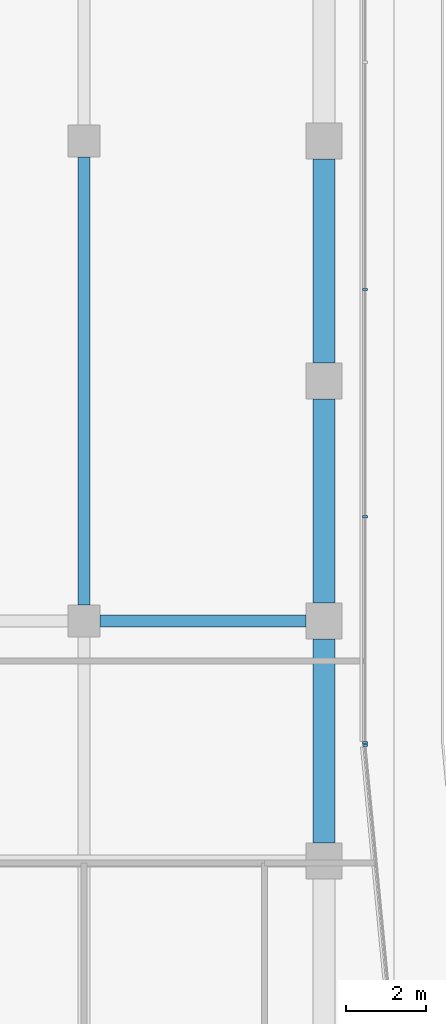
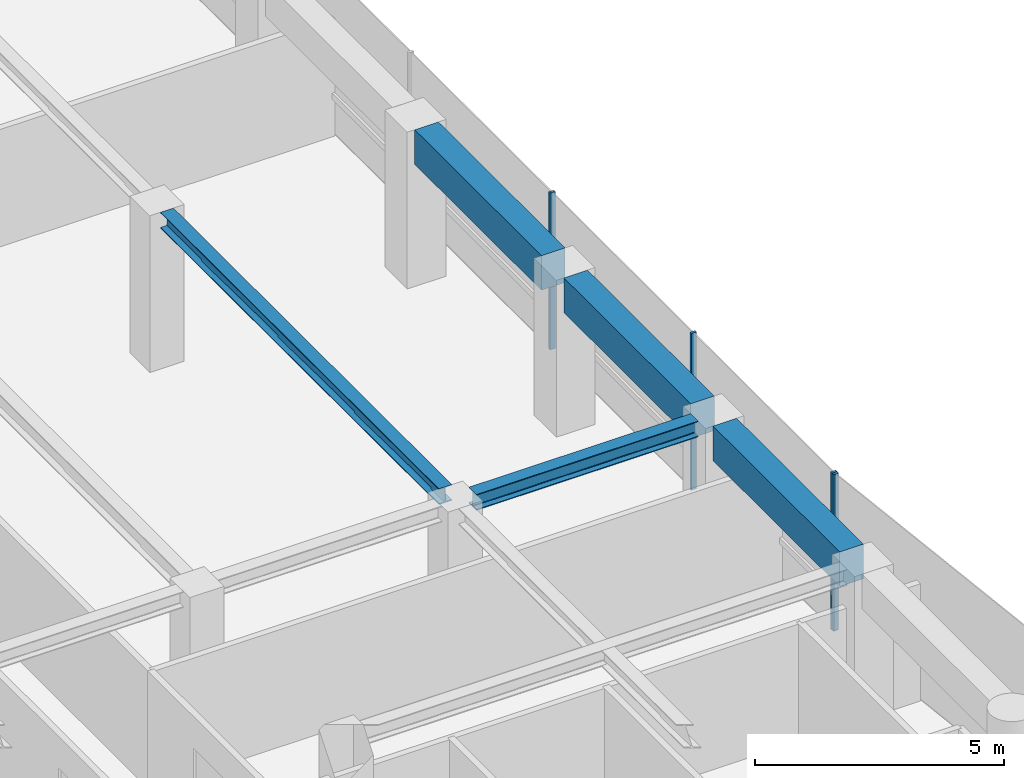
# One storey, part 8 of 23: 5 beams, 4 members, 2 elements without a shape of their own.
"""IFC4 building model written with IfcOpenShell, lengths in metres."""

from ifc_helpers import new_model, si_unit, direction, frame, origin, origin_2d, place, context, subcontext, project, spatial, rectangle, i_section, extrude, material, layer, layer_set, material_profile, profile_set, type_object, element, aggregate, save


model = new_model("IFC4")

# Units and contexts
model_context = context("Model", 3, precision=1e-05, world=origin(), true_north=direction((0.0, 1.0)))
body_context = subcontext(model_context, "Body", "Model", "MODEL_VIEW")
ifc_project = project(units=[si_unit("LENGTHUNIT", "METRE"), si_unit("AREAUNIT", "SQUARE_METRE"), si_unit("VOLUMEUNIT", "CUBIC_METRE"), si_unit("PLANEANGLEUNIT", "RADIAN"), si_unit("MASSUNIT", "GRAM", prefix="KILO")], contexts=[model_context])

# Site, building, storey
site_placement = place(None, origin())
site = spatial("IfcSite", under=ifc_project, at=site_placement, CompositionType="ELEMENT")
building_placement = place(site_placement, origin())
building = spatial("IfcBuilding", under=site, at=building_placement, Name="Welwitschia Terrace Campus", CompositionType="ELEMENT")
storey_placement = place(building_placement, frame((0.0, 0.0, 205.39990234375)))
storey = spatial("IfcBuildingStorey", under=building, at=storey_placement, Name="L45", CompositionType="ELEMENT", Elevation=205.39990234375)

# Beams
ifc_material_1 = material(Name="Steel S355", Category="steel")
ifc_material_profile_1 = material_profile(ifc_material_1, i_section(OverallWidth=0.300048828125, OverallDepth=0.389892578125, WebThickness=0.010986328125, FlangeThickness=0.01904296875, FilletRadius=0.027099609375, at=origin_2d()))
ifc_profile_set_1 = profile_set([ifc_material_profile_1], Name="Steel S355")
beam_type_1 = type_object("IfcBeamType", Name="Interior girder HE 400 A", PredefinedType="BEAM", material=ifc_profile_set_1)
beam_1_placement = place(storey_placement, frame((18.400390625, 40.0, 3.655029296875), z_axis=(1.0, 0.0, 0.0), x_axis=(0.0, 1.0, 0.0)))
element("IfcBeam", 1, at=beam_1_placement, inside=storey, type_object=beam_type_1, Name="Girder GB5", PredefinedType="BEAM", context=body_context, shape_type="SweptSolid", body=[
    extrude(i_section(OverallWidth=0.300048828125, OverallDepth=0.389892578125, WebThickness=0.010986328125, FlangeThickness=0.01904296875, FilletRadius=0.027099609375, at=origin_2d()), origin(), (0.0, 0.0, 1.0), 5.1591796875),
])
beam_2_placement = place(storey_placement, frame((18.0, 40.400390625, 3.655029296875), z_axis=(0.0, 1.0, 0.0), x_axis=(-1.0, 0.0, 0.0)))
element("IfcBeam", 2, at=beam_2_placement, inside=storey, type_object=beam_type_1, Name="Girder GB5", PredefinedType="BEAM", context=body_context, shape_type="SweptSolid", body=[
    extrude(i_section(OverallWidth=0.300048828125, OverallDepth=0.389892578125, WebThickness=0.010986328125, FlangeThickness=0.01904296875, FilletRadius=0.027099609375, at=origin_2d()), origin(), (0.0, 0.0, 1.0), 11.19921875),
])

# Curtain wall, member
ifc_material_2 = material(Name="Bronze anodised aluminium", Category="aluminium")
ifc_layer = layer(ifc_material_2, 0.1201171875)
ifc_layer_set = layer_set([ifc_layer], Name="Bronze anodised aluminium")
curtain_wall_type = type_object("IfcCurtainWallType", Name="Curtain wall CW2 tower 6000", PredefinedType="NOTDEFINED", material=ifc_layer_set)
curtain_wall_1_placement = place(storey_placement, origin())
curtain_wall_1 = element("IfcCurtainWall", 3, at=curtain_wall_1_placement, inside=storey, type_object=curtain_wall_type, Name="CW L45.6.0", PredefinedType="NOTDEFINED")
ifc_material_3 = material(Name="Bronze anodised aluminium", Category="aluminium")
ifc_material_profile_2 = material_profile(ifc_material_3, rectangle(XDim=0.1201171875, YDim=0.06005859375, at=origin_2d()))
ifc_profile_set_2 = profile_set([ifc_material_profile_2], Name="Bronze anodised aluminium")
member_type = type_object("IfcMemberType", Name="Mullion 60x120", PredefinedType="MULLION", material=ifc_profile_set_2)
member_1_placement = place(storey_placement, frame((25.032958984375, 36.889404296875, 0.0), z_axis=(0.0, 0.0, 1.0), x_axis=(-0.995396198367, -0.09584575252, 0.0)))
member_1 = element("IfcMember", 4, at=member_1_placement, type_object=member_type, Name="Mullion L45.6.0.1", PredefinedType="MULLION", context=body_context, shape_type="SweptSolid", body=[
    extrude(rectangle(XDim=0.1201171875, YDim=0.06005859375, at=origin_2d()), origin(), (0.0, 0.0, 1.0), 3.85009765625),
])
aggregate(curtain_wall_1, [member_1])

# Curtain wall, members
curtain_wall_2_placement = place(storey_placement, origin())
curtain_wall_2 = element("IfcCurtainWall", 5, at=curtain_wall_2_placement, inside=storey, type_object=curtain_wall_type, Name="CW L45.7.0", PredefinedType="NOTDEFINED")
member_2_placement = place(storey_placement, frame((25.030029296875, 36.94921875, 0.0), z_axis=(0.0, 0.0, 1.0), x_axis=(-1.0, 0.0, 0.0)))
member_2 = element("IfcMember", 6, at=member_2_placement, type_object=member_type, Name="Mullion L45.7.0.0", PredefinedType="MULLION", context=body_context, shape_type="SweptSolid", body=[
    extrude(rectangle(XDim=0.1201171875, YDim=0.06005859375, at=origin_2d()), origin(), (0.0, 0.0, 1.0), 3.85009765625),
])
member_3_placement = place(storey_placement, frame((25.030029296875, 42.604248046875, 0.0), z_axis=(0.0, 0.0, 1.0), x_axis=(-1.0, 0.0, 0.0)))
member_3 = element("IfcMember", 7, at=member_3_placement, type_object=member_type, Name="Mullion L45.7.0.1", PredefinedType="MULLION", context=body_context, shape_type="SweptSolid", body=[
    extrude(rectangle(XDim=0.1201171875, YDim=0.06005859375, at=origin_2d()), origin(), (0.0, 0.0, 1.0), 3.85009765625),
])
member_4_placement = place(storey_placement, frame((25.030029296875, 48.28955078125, 0.0), z_axis=(0.0, 0.0, 1.0), x_axis=(-1.0, 0.0, 0.0)))
member_4 = element("IfcMember", 8, at=member_4_placement, type_object=member_type, Name="Mullion L45.7.0.2", PredefinedType="MULLION", context=body_context, shape_type="SweptSolid", body=[
    extrude(rectangle(XDim=0.1201171875, YDim=0.06005859375, at=origin_2d()), origin(), (0.0, 0.0, 1.0), 3.85009765625),
])
aggregate(curtain_wall_2, [member_2, member_3, member_4])

# Beams
ifc_material_4 = material(Name="Concrete C50/60", Category="concrete")
ifc_material_profile_3 = material_profile(ifc_material_4, rectangle(XDim=0.550048828125, YDim=0.85009765625, at=origin_2d()))
ifc_profile_set_3 = profile_set([ifc_material_profile_3], Name="Concrete C50/60")
beam_type_2 = type_object("IfcBeamType", Name="Ring spandrel 550x850", PredefinedType="SPANDREL", material=ifc_profile_set_3)
for number, where, z_axis, x_axis, name in (
    (9, (24.0, 34.450439453125, 3.425048828125), (0.0, 1.0, 0.0), (-1.0, 0.0, 0.0), "Spandrel SP3"),
    (10, (24.0, 40.450439453125, 3.425048828125), (0.0, 1.0, 0.0), (-1.0, 0.0, 0.0), "Spandrel SP3"),
    (11, (24.0, 46.450439453125, 3.425048828125), (0.0, 1.0, 0.0), (-1.0, 0.0, 0.0), "Spandrel SP3"),
):
    element("IfcBeam", number, at=place(storey_placement, frame(where, z_axis=z_axis, x_axis=x_axis)), inside=storey, type_object=beam_type_2, Name=name, PredefinedType="SPANDREL", context=body_context, shape_type="SweptSolid", body=[
        extrude(rectangle(XDim=0.550048828125, YDim=0.85009765625, at=origin_2d()), origin(), (0.0, 0.0, 1.0), 5.09912109375),
    ])

save(model, "model.ifc")
